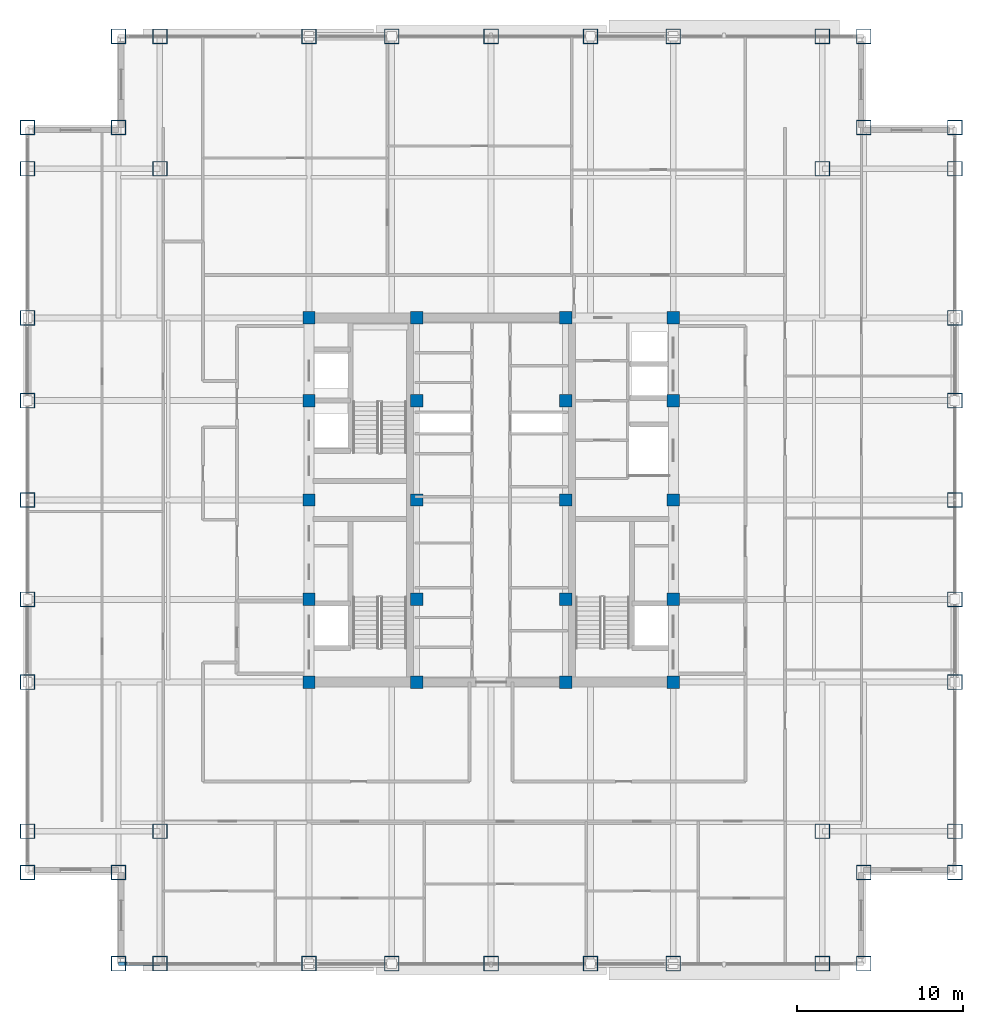
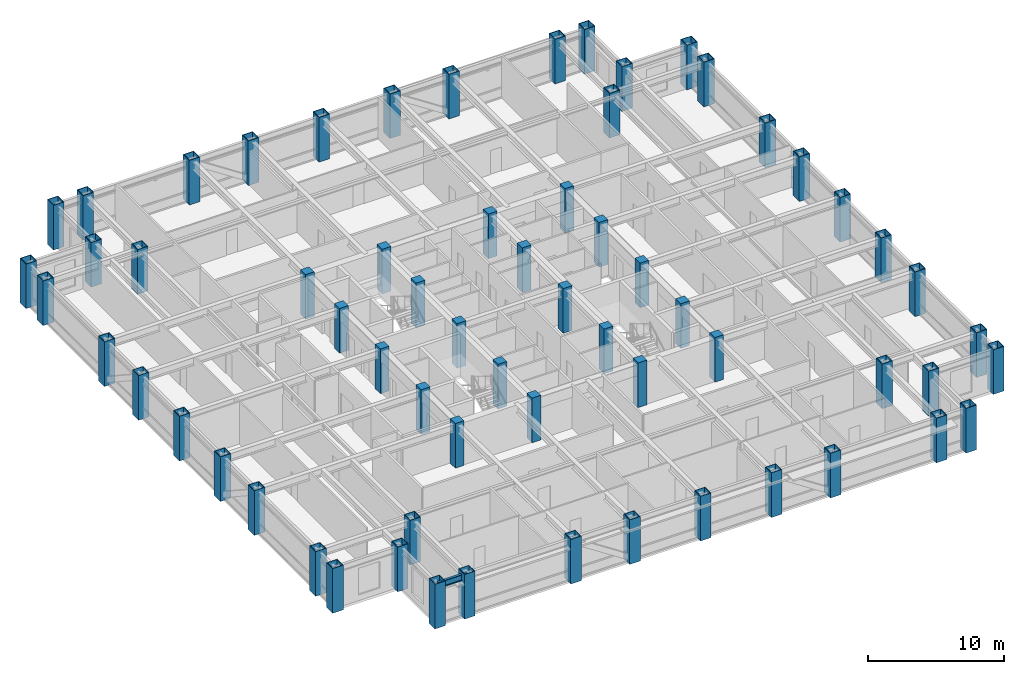
# One storey, part 1 of 27: 64 columns, 1 beam.
"""IFC4 building model written with IfcOpenShell, lengths in metres."""

from ifc_helpers import new_model, si_unit, direction, frame, origin, origin_2d, place, context, subcontext, project, spatial, rectangle, hollow_rectangle, i_section, extrude, source, transform, mapped, material, material_profile, profile_set, type_object, element, save


model = new_model("IFC4")

# Units and contexts
model_context = context("Model", 3, precision=1e-05, world=origin(), true_north=direction((0.0, 1.0)))
body_context = subcontext(model_context, "Body", "Model", "MODEL_VIEW")
ifc_project = project(units=[si_unit("LENGTHUNIT", "METRE"), si_unit("AREAUNIT", "SQUARE_METRE"), si_unit("VOLUMEUNIT", "CUBIC_METRE"), si_unit("PLANEANGLEUNIT", "RADIAN"), si_unit("MASSUNIT", "GRAM", prefix="KILO")], contexts=[model_context])

# Site, building, storey
site_placement = place(None, origin())
site = spatial("IfcSite", under=ifc_project, at=site_placement, CompositionType="ELEMENT")
building_placement = place(site_placement, origin())
building = spatial("IfcBuilding", under=site, at=building_placement, Name="Khorayat Bourse Tower", CompositionType="ELEMENT")
storey_placement = place(building_placement, frame((0.0, 0.0, 281.5)))
storey = spatial("IfcBuildingStorey", under=building, at=storey_placement, Name="L66", CompositionType="ELEMENT", Elevation=281.5)

# Columns
ifc_material_1 = material(Name="Steel EN 10025-4 S460M", Category="steel")
ifc_material_profile_1 = material_profile(ifc_material_1, hollow_rectangle(XDim=0.89990234375, YDim=0.89990234375, WallThickness=0.050048828125, at=origin_2d()), Name="BOX 900x900x50")
ifc_profile_set_1 = profile_set([ifc_material_profile_1], Name="Steel EN 10025-4 S460M")
column_type_1 = type_object("IfcColumnType", Name="COL-TUBE-900", PredefinedType="COLUMN", material=ifc_profile_set_1)
shared_shape_1 = source(origin(), body_context, "Body", "SweptSolid", [
    extrude(hollow_rectangle(XDim=0.89990234375, YDim=0.89990234375, WallThickness=0.050048828125, at=origin_2d()), origin(), (0.0, 0.0, 1.0), 4.0),
])
for number, where, z_axis, x_axis, name in (
    (1, (-28.0, -22.5, 0.0), (0.0, 0.0, 1.0), (1.0, 0.0, 0.0), "L66 Column 001"),
    (2, (-28.0, -20.0, 0.0), (0.0, 0.0, 1.0), (1.0, 0.0, 0.0), "L66 Column 002"),
    (3, (-28.0, -11.0, 0.0), (0.0, 0.0, 1.0), (1.0, 0.0, 0.0), "L66 Column 003"),
    (4, (-28.0, -6.0, 0.0), (0.0, 0.0, 1.0), (1.0, 0.0, 0.0), "L66 Column 004"),
    (5, (-28.0, 0.0, 0.0), (0.0, 0.0, 1.0), (1.0, 0.0, 0.0), "L66 Column 005"),
    (6, (-28.0, 6.0, 0.0), (0.0, 0.0, 1.0), (1.0, 0.0, 0.0), "L66 Column 006"),
    (7, (-28.0, 11.0, 0.0), (0.0, 0.0, 1.0), (1.0, 0.0, 0.0), "L66 Column 007"),
    (8, (-28.0, 20.0, 0.0), (0.0, 0.0, 1.0), (1.0, 0.0, 0.0), "L66 Column 008"),
    (9, (-28.0, 22.5, 0.0), (0.0, 0.0, 1.0), (1.0, 0.0, 0.0), "L66 Column 009"),
    (10, (-22.5, -28.0, 0.0), (0.0, 0.0, 1.0), (1.0, 0.0, 0.0), "L66 Column 010"),
    (11, (-22.5, -22.5, 0.0), (0.0, 0.0, 1.0), (1.0, 0.0, 0.0), "L66 Column 011"),
    (12, (-22.5, 22.5, 0.0), (0.0, 0.0, 1.0), (1.0, 0.0, 0.0), "L66 Column 012"),
    (13, (-22.5, 28.0, 0.0), (0.0, 0.0, 1.0), (1.0, 0.0, 0.0), "L66 Column 013"),
    (14, (-20.0, -28.0, 0.0), (0.0, 0.0, 1.0), (1.0, 0.0, 0.0), "L66 Column 014"),
    (15, (-20.0, -20.0, 0.0), (0.0, 0.0, 1.0), (1.0, 0.0, 0.0), "L66 Column 015"),
    (16, (-20.0, 20.0, 0.0), (0.0, 0.0, 1.0), (1.0, 0.0, 0.0), "L66 Column 016"),
    (17, (-20.0, 28.0, 0.0), (0.0, 0.0, 1.0), (1.0, 0.0, 0.0), "L66 Column 017"),
    (18, (-11.0, -28.0, 0.0), (0.0, 0.0, 1.0), (1.0, 0.0, 0.0), "L66 Column 018"),
    (19, (-11.0, 28.0, 0.0), (0.0, 0.0, 1.0), (1.0, 0.0, 0.0), "L66 Column 024"),
    (20, (-6.0, -28.0, 0.0), (0.0, 0.0, 1.0), (1.0, 0.0, 0.0), "L66 Column 025"),
    (21, (-6.0, 28.0, 0.0), (0.0, 0.0, 1.0), (1.0, 0.0, 0.0), "L66 Column 026"),
    (22, (0.0, -28.0, 0.0), (0.0, 0.0, 1.0), (1.0, 0.0, 0.0), "L66 Column 032"),
    (23, (0.0, 28.0, 0.0), (0.0, 0.0, 1.0), (1.0, 0.0, 0.0), "L66 Column 033"),
    (24, (6.0, -28.0, 0.0), (0.0, 0.0, 1.0), (1.0, 0.0, 0.0), "L66 Column 039"),
    (25, (6.0, 28.0, 0.0), (0.0, 0.0, 1.0), (1.0, 0.0, 0.0), "L66 Column 040"),
    (26, (11.0, -28.0, 0.0), (0.0, 0.0, 1.0), (1.0, 0.0, 0.0), "L66 Column 041"),
    (27, (11.0, 28.0, 0.0), (0.0, 0.0, 1.0), (1.0, 0.0, 0.0), "L66 Column 047"),
    (28, (20.0, -28.0, 0.0), (0.0, 0.0, 1.0), (1.0, 0.0, 0.0), "L66 Column 048"),
    (29, (20.0, -20.0, 0.0), (0.0, 0.0, 1.0), (1.0, 0.0, 0.0), "L66 Column 049"),
    (30, (20.0, 20.0, 0.0), (0.0, 0.0, 1.0), (1.0, 0.0, 0.0), "L66 Column 050"),
    (31, (20.0, 28.0, 0.0), (0.0, 0.0, 1.0), (1.0, 0.0, 0.0), "L66 Column 051"),
    (32, (22.5, -28.0, 0.0), (0.0, 0.0, 1.0), (1.0, 0.0, 0.0), "L66 Column 052"),
    (33, (22.5, -22.5, 0.0), (0.0, 0.0, 1.0), (1.0, 0.0, 0.0), "L66 Column 053"),
    (34, (22.5, 22.5, 0.0), (0.0, 0.0, 1.0), (1.0, 0.0, 0.0), "L66 Column 054"),
    (35, (22.5, 28.0, 0.0), (0.0, 0.0, 1.0), (1.0, 0.0, 0.0), "L66 Column 055"),
    (36, (28.0, -22.5, 0.0), (0.0, 0.0, 1.0), (1.0, 0.0, 0.0), "L66 Column 056"),
    (37, (28.0, -20.0, 0.0), (0.0, 0.0, 1.0), (1.0, 0.0, 0.0), "L66 Column 057"),
    (38, (28.0, -11.0, 0.0), (0.0, 0.0, 1.0), (1.0, 0.0, 0.0), "L66 Column 058"),
    (39, (28.0, -6.0, 0.0), (0.0, 0.0, 1.0), (1.0, 0.0, 0.0), "L66 Column 059"),
    (40, (28.0, 0.0, 0.0), (0.0, 0.0, 1.0), (1.0, 0.0, 0.0), "L66 Column 060"),
    (41, (28.0, 6.0, 0.0), (0.0, 0.0, 1.0), (1.0, 0.0, 0.0), "L66 Column 061"),
    (42, (28.0, 11.0, 0.0), (0.0, 0.0, 1.0), (1.0, 0.0, 0.0), "L66 Column 062"),
    (43, (28.0, 20.0, 0.0), (0.0, 0.0, 1.0), (1.0, 0.0, 0.0), "L66 Column 063"),
    (44, (28.0, 22.5, 0.0), (0.0, 0.0, 1.0), (1.0, 0.0, 0.0), "L66 Column 064"),
):
    element("IfcColumn", number, at=place(storey_placement, frame(where, z_axis=z_axis, x_axis=x_axis)), inside=storey, type_object=column_type_1, Name=name, PredefinedType="COLUMN", context=body_context, shape_type="MappedRepresentation", body=[
        mapped(shared_shape_1, transform((0.0, 0.0, 0.0), scale=1.0)),
    ])
ifc_material_2 = material(Name="Concrete C52/65", Category="concrete")
ifc_material_profile_2 = material_profile(ifc_material_2, rectangle(XDim=0.75, YDim=0.75, at=origin_2d()), Name="RC 750x750")
ifc_profile_set_2 = profile_set([ifc_material_profile_2], Name="Concrete C52/65")
column_type_2 = type_object("IfcColumnType", Name="COL-CORE-750", PredefinedType="COLUMN", material=ifc_profile_set_2)
shared_shape_2 = source(origin(), body_context, "Body", "SweptSolid", [
    extrude(rectangle(XDim=0.75, YDim=0.75, at=origin_2d()), origin(), (0.0, 0.0, 1.0), 4.0),
])
for number, where, z_axis, x_axis, name in (
    (45, (-11.0, -11.0, 0.0), (0.0, 0.0, 1.0), (1.0, 0.0, 0.0), "L66 Column 019"),
    (46, (-11.0, -6.0, 0.0), (0.0, 0.0, 1.0), (1.0, 0.0, 0.0), "L66 Column 020"),
    (47, (-11.0, 0.0, 0.0), (0.0, 0.0, 1.0), (1.0, 0.0, 0.0), "L66 Column 021"),
    (48, (-11.0, 6.0, 0.0), (0.0, 0.0, 1.0), (1.0, 0.0, 0.0), "L66 Column 022"),
    (49, (-11.0, 11.0, 0.0), (0.0, 0.0, 1.0), (1.0, 0.0, 0.0), "L66 Column 023"),
    (50, (-4.5, -11.0, 0.0), (0.0, 0.0, 1.0), (1.0, 0.0, 0.0), "L66 Column 027"),
    (51, (-4.5, -6.0, 0.0), (0.0, 0.0, 1.0), (1.0, 0.0, 0.0), "L66 Column 028"),
    (52, (-4.5, 0.0, 0.0), (0.0, 0.0, 1.0), (1.0, 0.0, 0.0), "L66 Column 029"),
    (53, (-4.5, 6.0, 0.0), (0.0, 0.0, 1.0), (1.0, 0.0, 0.0), "L66 Column 030"),
    (54, (-4.5, 11.0, 0.0), (0.0, 0.0, 1.0), (1.0, 0.0, 0.0), "L66 Column 031"),
    (55, (4.5, -11.0, 0.0), (0.0, 0.0, 1.0), (1.0, 0.0, 0.0), "L66 Column 034"),
    (56, (4.5, -6.0, 0.0), (0.0, 0.0, 1.0), (1.0, 0.0, 0.0), "L66 Column 035"),
    (57, (4.5, 0.0, 0.0), (0.0, 0.0, 1.0), (1.0, 0.0, 0.0), "L66 Column 036"),
    (58, (4.5, 6.0, 0.0), (0.0, 0.0, 1.0), (1.0, 0.0, 0.0), "L66 Column 037"),
    (59, (4.5, 11.0, 0.0), (0.0, 0.0, 1.0), (1.0, 0.0, 0.0), "L66 Column 038"),
    (60, (11.0, -11.0, 0.0), (0.0, 0.0, 1.0), (1.0, 0.0, 0.0), "L66 Column 042"),
    (61, (11.0, -6.0, 0.0), (0.0, 0.0, 1.0), (1.0, 0.0, 0.0), "L66 Column 043"),
    (62, (11.0, 0.0, 0.0), (0.0, 0.0, 1.0), (1.0, 0.0, 0.0), "L66 Column 044"),
    (63, (11.0, 6.0, 0.0), (0.0, 0.0, 1.0), (1.0, 0.0, 0.0), "L66 Column 045"),
    (64, (11.0, 11.0, 0.0), (0.0, 0.0, 1.0), (1.0, 0.0, 0.0), "L66 Column 046"),
):
    element("IfcColumn", number, at=place(storey_placement, frame(where, z_axis=z_axis, x_axis=x_axis)), inside=storey, type_object=column_type_2, Name=name, PredefinedType="COLUMN", context=body_context, shape_type="MappedRepresentation", body=[
        mapped(shared_shape_2, transform((0.0, 0.0, 0.0), scale=1.0)),
    ])

# Beam
ifc_material_3 = material(Name="Steel ASTM A992 Grade 50", Category="steel")
ifc_material_profile_3 = material_profile(ifc_material_3, i_section(OverallWidth=0.214111328125, OverallDepth=0.549072265625, WebThickness=0.0146484375, FlangeThickness=0.023681640625, FilletRadius=0.013916015625, at=origin_2d()), Name="W530X138")
ifc_profile_set_3 = profile_set([ifc_material_profile_3], Name="Steel ASTM A992 Grade 50")
beam_type = type_object("IfcBeamType", Name="BM-SPAN-530", PredefinedType="SPANDREL", material=ifc_profile_set_3)
shared_shape_3 = source(origin(), body_context, "Body", "SweptSolid", [
    extrude(i_section(OverallWidth=0.214111328125, OverallDepth=0.549072265625, WebThickness=0.0146484375, FlangeThickness=0.023681640625, FilletRadius=0.013916015625, at=origin_2d()), origin(), (0.0, 0.0, 1.0), 2.5),
])
beam_placement = place(storey_placement, frame((-22.5, -28.0, 3.505615234375), z_axis=(1.0, 0.0, 0.0), x_axis=(0.0, 1.0, 0.0)))
element("IfcBeam", 65, at=beam_placement, inside=storey, type_object=beam_type, Name="L66 BM-SPAN-530 BM-L66-SPN-024", PredefinedType="SPANDREL", context=body_context, shape_type="MappedRepresentation", body=[
    mapped(shared_shape_3, transform((0.0, 0.0, 0.0), scale=1.0)),
])

save(model, "model.ifc")
